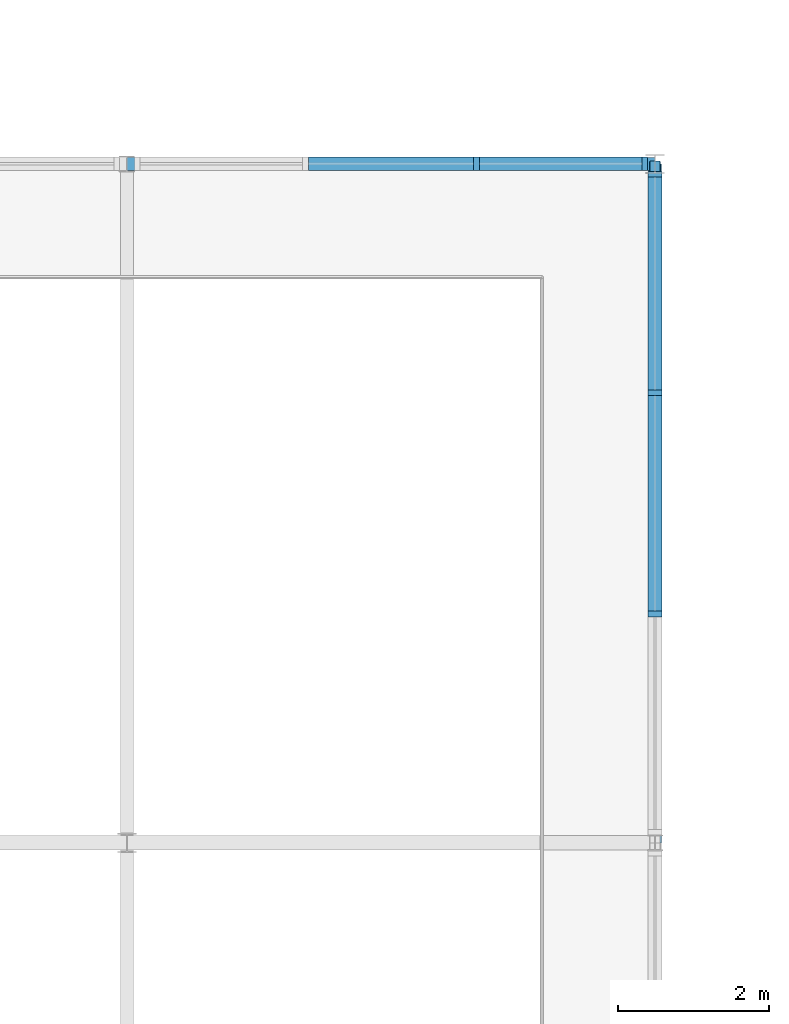
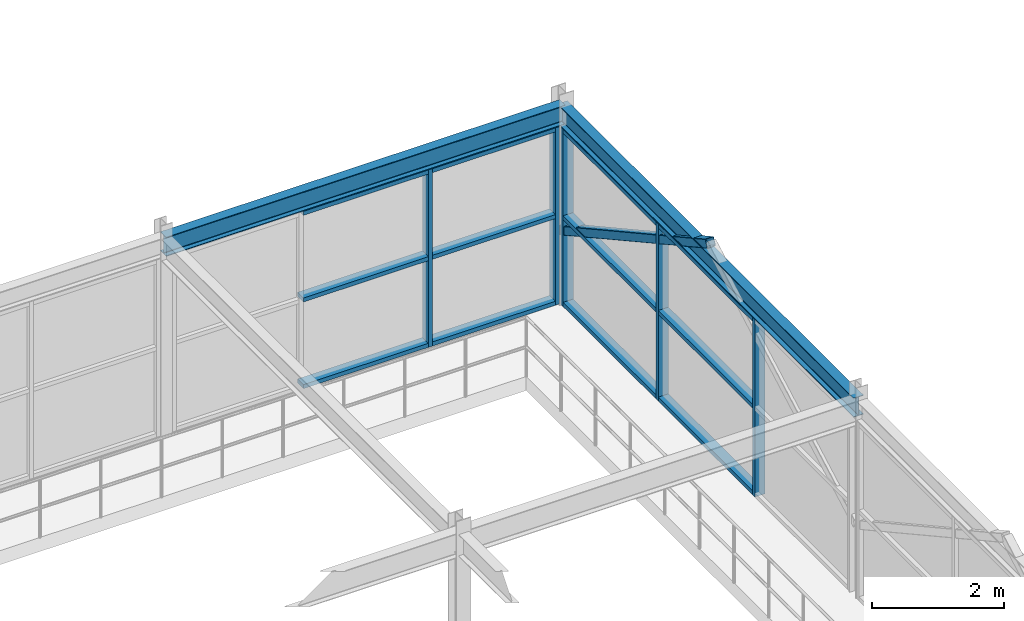
# One storey, part 52 of 98: 18 members, 2 beams, 2 elements without a shape of their own.
"""IFC4 building model written with IfcOpenShell, lengths in metres."""

from ifc_helpers import new_model, si_unit, derived_unit, direction, frame, origin, origin_2d_with_axis, place, context, subcontext, project, spatial, rectangle, hollow_rectangle, i_section, extrude, material, material_profile, profile_set, type_object, element, aggregate, save


model = new_model("IFC4")

# Units and contexts
model_context = context("Model", 3, precision=1e-05, world=origin(), true_north=direction((0.0, 1.0)))
body_context = subcontext(model_context, "Body", "Model", "MODEL_VIEW")
ifc_project = project(units=[si_unit("LENGTHUNIT", "METRE"), si_unit("AREAUNIT", "SQUARE_METRE"), si_unit("VOLUMEUNIT", "CUBIC_METRE"), si_unit("PLANEANGLEUNIT", "RADIAN"), si_unit("MASSUNIT", "GRAM", prefix="KILO"), derived_unit("THERMALTRANSMITTANCEUNIT", [(si_unit("POWERUNIT", "WATT"), 1), (si_unit("LENGTHUNIT", "METRE"), -2), (si_unit("THERMODYNAMICTEMPERATUREUNIT", "KELVIN"), -1)])], contexts=[model_context])

# Site, building, storey
site_placement = place(None, origin())
site = spatial("IfcSite", under=ifc_project, at=site_placement, CompositionType="ELEMENT")
building_placement = place(site_placement, origin())
building = spatial("IfcBuilding", under=site, at=building_placement, Name="Cinnabar Yard Market Hall", CompositionType="ELEMENT")
storey_placement = place(building_placement, frame((0.0, 0.0, 4.5)))
storey = spatial("IfcBuildingStorey", under=building, at=storey_placement, Name="L01", CompositionType="ELEMENT", Elevation=4.5)

# Beams
ifc_material_1 = material(Name="Steel Grade 300 (300 MPa)", Category="steel")
ifc_material_profile_1 = material_profile(ifc_material_1, i_section(OverallWidth=0.172119140625, OverallDepth=0.358642578125, WebThickness=0.008056640625, FlangeThickness=0.012939453125, FilletRadius=0.011474609375, at=origin_2d_with_axis()), Name="360UB56.7")
ifc_profile_set_1 = profile_set([ifc_material_profile_1], Name="Steel Grade 300 (300 MPa)")
beam_type = type_object("IfcBeamType", Name="BM-SP02E", PredefinedType="SPANDREL", material=ifc_profile_set_1)
beam_1_placement = place(storey_placement, frame((45.0, 84.0, 3.470703125), z_axis=(1.0, 0.0, 0.0), x_axis=(0.0, 1.0, 0.0)))
element("IfcBeam", 1, at=beam_1_placement, inside=storey, type_object=beam_type, Name="V2 L01 Girder X 00736", PredefinedType="SPANDREL", context=body_context, shape_type="SweptSolid", body=[
    extrude(i_section(OverallWidth=0.172119140625, OverallDepth=0.358642578125, WebThickness=0.008056640625, FlangeThickness=0.012939453125, FilletRadius=0.011474609375, at=origin_2d_with_axis()), origin(), (0.0, 0.0, 1.0), 7.0),
])
beam_2_placement = place(storey_placement, frame((52.0, 75.0, 3.470703125), z_axis=(0.0, 1.0, 0.0), x_axis=(-1.0, 0.0, 0.0)))
element("IfcBeam", 2, at=beam_2_placement, inside=storey, type_object=beam_type, Name="V2 L01 Girder Y 00764", PredefinedType="SPANDREL", context=body_context, shape_type="SweptSolid", body=[
    extrude(i_section(OverallWidth=0.172119140625, OverallDepth=0.358642578125, WebThickness=0.008056640625, FlangeThickness=0.012939453125, FilletRadius=0.011474609375, at=origin_2d_with_axis()), origin(), (0.0, 0.0, 1.0), 9.0),
])

# Curtain wall, members
ifc_material_2 = material(Name="Anodised bronze aluminium courtyard facade", Category="aluminium")
curtain_wall_type_1 = type_object("IfcCurtainWallType", Name="CW-CWF068x33", PredefinedType="NOTDEFINED", material=ifc_material_2)
curtain_wall_1_placement = place(storey_placement, origin())
curtain_wall_1 = element("IfcCurtainWall", 3, at=curtain_wall_1_placement, inside=storey, type_object=curtain_wall_type_1, Name="Pavilion North Glazed Arcade L01 Bay 6", PredefinedType="NOTDEFINED")
ifc_material_3 = material(Name="Anodised bronze aluminium", Category="aluminium")
ifc_material_profile_2 = material_profile(ifc_material_3, rectangle(XDim=0.179931640625, YDim=0.074951171875, at=origin_2d_with_axis()), Name="MUL-CWF")
ifc_profile_set_2 = profile_set([ifc_material_profile_2], Name="Anodised bronze aluminium")
member_type_1 = type_object("IfcMemberType", Name="CWM-CWF", PredefinedType="MULLION", material=ifc_profile_set_2)
member_1_placement = place(storey_placement, frame((51.862548828125, 84.0, 0.0), z_axis=(0.0, 0.0, 1.0), x_axis=(0.0, -1.0, 0.0)))
member_1 = element("IfcMember", 4, at=member_1_placement, type_object=member_type_1, Name="CWF068x33 mullion 1", PredefinedType="MULLION", context=body_context, shape_type="SweptSolid", body=[
    extrude(rectangle(XDim=0.179931640625, YDim=0.074951171875, at=origin_2d_with_axis()), origin(), (0.0, 0.0, 1.0), 3.2900390625),
])
member_2_placement = place(storey_placement, frame((49.63330078125, 84.0, 0.0), z_axis=(0.0, 0.0, 1.0), x_axis=(0.0, -1.0, 0.0)))
member_2 = element("IfcMember", 5, at=member_2_placement, type_object=member_type_1, Name="CWF068x33 mullion 2", PredefinedType="MULLION", context=body_context, shape_type="SweptSolid", body=[
    extrude(rectangle(XDim=0.179931640625, YDim=0.074951171875, at=origin_2d_with_axis()), origin(), (0.0, 0.0, 1.0), 3.2900390625),
])

curtain_wall_type_2 = type_object("IfcCurtainWallType", Name="CW-CWF088x33", PredefinedType="NOTDEFINED", material=ifc_material_2)
curtain_wall_2_placement = place(storey_placement, origin())
curtain_wall_2 = element("IfcCurtainWall", 6, at=curtain_wall_2_placement, inside=storey, type_object=curtain_wall_type_2, Name="Pavilion Courtyard Glazing L01 Bay 4", PredefinedType="NOTDEFINED")
member_3_placement = place(storey_placement, frame((52.0, 78.033447265625, 0.0), z_axis=(0.0, 0.0, 1.0), x_axis=(-1.0, 0.0, 0.0)))
member_3 = element("IfcMember", 7, at=member_3_placement, type_object=member_type_1, Name="CWF088x33 mullion 2", PredefinedType="MULLION", context=body_context, shape_type="SweptSolid", body=[
    extrude(rectangle(XDim=0.179931640625, YDim=0.074951171875, at=origin_2d_with_axis()), origin(), (0.0, 0.0, 1.0), 3.2900390625),
])
member_4_placement = place(storey_placement, frame((52.0, 80.966552734375, 0.0), z_axis=(0.0, 0.0, 1.0), x_axis=(-1.0, 0.0, 0.0)))
member_4 = element("IfcMember", 8, at=member_4_placement, type_object=member_type_1, Name="CWF088x33 mullion 3", PredefinedType="MULLION", context=body_context, shape_type="SweptSolid", body=[
    extrude(rectangle(XDim=0.179931640625, YDim=0.074951171875, at=origin_2d_with_axis()), origin(), (0.0, 0.0, 1.0), 3.2900390625),
])
member_5_placement = place(storey_placement, frame((52.0, 83.862548828125, 0.0), z_axis=(0.0, 0.0, 1.0), x_axis=(-1.0, 0.0, 0.0)))
member_5 = element("IfcMember", 9, at=member_5_placement, type_object=member_type_1, Name="CWF088x33 mullion 4", PredefinedType="MULLION", context=body_context, shape_type="SweptSolid", body=[
    extrude(rectangle(XDim=0.179931640625, YDim=0.074951171875, at=origin_2d_with_axis()), origin(), (0.0, 0.0, 1.0), 3.2900390625),
])

# Member
ifc_material_profile_3 = material_profile(ifc_material_3, rectangle(XDim=0.179931640625, YDim=0.074951171875, at=origin_2d_with_axis()), Name="TRN-CWF")
ifc_profile_set_3 = profile_set([ifc_material_profile_3], Name="Anodised bronze aluminium")
member_type_2 = type_object("IfcMemberType", Name="CWT-CWF", PredefinedType="USERDEFINED", material=ifc_profile_set_3)
member_6_placement = place(storey_placement, frame((51.824951171875, 84.0, 0.03759765625), z_axis=(-1.0, 0.0, 0.0), x_axis=(0.0, -1.0, 0.0)))
member_6 = element("IfcMember", 10, at=member_6_placement, type_object=member_type_2, Name="CWF068x33 transom 1.1", ObjectType="TRANSOM", PredefinedType="USERDEFINED", context=body_context, shape_type="SweptSolid", body=[
    extrude(rectangle(XDim=0.179931640625, YDim=0.074951171875, at=origin_2d_with_axis()), origin(), (0.0, 0.0, 1.0), 2.154052734375),
])

member_7_placement = place(storey_placement, frame((51.824951171875, 84.0, 1.64501953125), z_axis=(-1.0, 0.0, 0.0), x_axis=(0.0, -1.0, 0.0)))
member_7 = element("IfcMember", 11, at=member_7_placement, type_object=member_type_2, Name="CWF068x33 transom 1.2", ObjectType="TRANSOM", PredefinedType="USERDEFINED", context=body_context, shape_type="SweptSolid", body=[
    extrude(rectangle(XDim=0.179931640625, YDim=0.074951171875, at=origin_2d_with_axis()), origin(), (0.0, 0.0, 1.0), 2.154052734375),
])

member_8_placement = place(storey_placement, frame((51.824951171875, 84.0, 3.25244140625), z_axis=(-1.0, 0.0, 0.0), x_axis=(0.0, -1.0, 0.0)))
member_8 = element("IfcMember", 12, at=member_8_placement, type_object=member_type_2, Name="CWF068x33 transom 1.3", ObjectType="TRANSOM", PredefinedType="USERDEFINED", context=body_context, shape_type="SweptSolid", body=[
    extrude(rectangle(XDim=0.179931640625, YDim=0.074951171875, at=origin_2d_with_axis()), origin(), (0.0, 0.0, 1.0), 2.154052734375),
])

member_9_placement = place(storey_placement, frame((49.595947265625, 84.0, 0.03759765625), z_axis=(-1.0, 0.0, 0.0), x_axis=(0.0, -1.0, 0.0)))
member_9 = element("IfcMember", 13, at=member_9_placement, type_object=member_type_2, Name="CWF068x33 transom 2.1", ObjectType="TRANSOM", PredefinedType="USERDEFINED", context=body_context, shape_type="SweptSolid", body=[
    extrude(rectangle(XDim=0.179931640625, YDim=0.074951171875, at=origin_2d_with_axis()), origin(), (0.0, 0.0, 1.0), 2.19189453125),
])

member_10_placement = place(storey_placement, frame((49.595947265625, 84.0, 1.64501953125), z_axis=(-1.0, 0.0, 0.0), x_axis=(0.0, -1.0, 0.0)))
member_10 = element("IfcMember", 14, at=member_10_placement, type_object=member_type_2, Name="CWF068x33 transom 2.2", ObjectType="TRANSOM", PredefinedType="USERDEFINED", context=body_context, shape_type="SweptSolid", body=[
    extrude(rectangle(XDim=0.179931640625, YDim=0.074951171875, at=origin_2d_with_axis()), origin(), (0.0, 0.0, 1.0), 2.19189453125),
])

member_11_placement = place(storey_placement, frame((49.595947265625, 84.0, 3.25244140625), z_axis=(-1.0, 0.0, 0.0), x_axis=(0.0, -1.0, 0.0)))
member_11 = element("IfcMember", 15, at=member_11_placement, type_object=member_type_2, Name="CWF068x33 transom 2.3", ObjectType="TRANSOM", PredefinedType="USERDEFINED", context=body_context, shape_type="SweptSolid", body=[
    extrude(rectangle(XDim=0.179931640625, YDim=0.074951171875, at=origin_2d_with_axis()), origin(), (0.0, 0.0, 1.0), 2.19189453125),
])

aggregate(curtain_wall_1, [member_1, member_2, member_6, member_7, member_8, member_9, member_10, member_11])

member_12_placement = place(storey_placement, frame((52.0, 78.07080078125, 0.03759765625), z_axis=(0.0, 1.0, 0.0), x_axis=(-1.0, 0.0, 0.0)))
member_12 = element("IfcMember", 16, at=member_12_placement, type_object=member_type_2, Name="CWF088x33 transom 2.1", ObjectType="TRANSOM", PredefinedType="USERDEFINED", context=body_context, shape_type="SweptSolid", body=[
    extrude(rectangle(XDim=0.179931640625, YDim=0.074951171875, at=origin_2d_with_axis()), origin(), (0.0, 0.0, 1.0), 2.8583984375),
])

member_13_placement = place(storey_placement, frame((52.0, 78.07080078125, 1.64501953125), z_axis=(0.0, 1.0, 0.0), x_axis=(-1.0, 0.0, 0.0)))
member_13 = element("IfcMember", 17, at=member_13_placement, type_object=member_type_2, Name="CWF088x33 transom 2.2", ObjectType="TRANSOM", PredefinedType="USERDEFINED", context=body_context, shape_type="SweptSolid", body=[
    extrude(rectangle(XDim=0.179931640625, YDim=0.074951171875, at=origin_2d_with_axis()), origin(), (0.0, 0.0, 1.0), 2.8583984375),
])

member_14_placement = place(storey_placement, frame((52.0, 78.07080078125, 3.25244140625), z_axis=(0.0, 1.0, 0.0), x_axis=(-1.0, 0.0, 0.0)))
member_14 = element("IfcMember", 18, at=member_14_placement, type_object=member_type_2, Name="CWF088x33 transom 2.3", ObjectType="TRANSOM", PredefinedType="USERDEFINED", context=body_context, shape_type="SweptSolid", body=[
    extrude(rectangle(XDim=0.179931640625, YDim=0.074951171875, at=origin_2d_with_axis()), origin(), (0.0, 0.0, 1.0), 2.8583984375),
])

member_15_placement = place(storey_placement, frame((52.0, 81.004150390625, 0.03759765625), z_axis=(0.0, 1.0, 0.0), x_axis=(-1.0, 0.0, 0.0)))
member_15 = element("IfcMember", 19, at=member_15_placement, type_object=member_type_2, Name="CWF088x33 transom 3.1", ObjectType="TRANSOM", PredefinedType="USERDEFINED", context=body_context, shape_type="SweptSolid", body=[
    extrude(rectangle(XDim=0.179931640625, YDim=0.074951171875, at=origin_2d_with_axis()), origin(), (0.0, 0.0, 1.0), 2.82080078125),
])

member_16_placement = place(storey_placement, frame((52.0, 81.004150390625, 1.64501953125), z_axis=(0.0, 1.0, 0.0), x_axis=(-1.0, 0.0, 0.0)))
member_16 = element("IfcMember", 20, at=member_16_placement, type_object=member_type_2, Name="CWF088x33 transom 3.2", ObjectType="TRANSOM", PredefinedType="USERDEFINED", context=body_context, shape_type="SweptSolid", body=[
    extrude(rectangle(XDim=0.179931640625, YDim=0.074951171875, at=origin_2d_with_axis()), origin(), (0.0, 0.0, 1.0), 2.82080078125),
])

member_17_placement = place(storey_placement, frame((52.0, 81.004150390625, 3.25244140625), z_axis=(0.0, 1.0, 0.0), x_axis=(-1.0, 0.0, 0.0)))
member_17 = element("IfcMember", 21, at=member_17_placement, type_object=member_type_2, Name="CWF088x33 transom 3.3", ObjectType="TRANSOM", PredefinedType="USERDEFINED", context=body_context, shape_type="SweptSolid", body=[
    extrude(rectangle(XDim=0.179931640625, YDim=0.074951171875, at=origin_2d_with_axis()), origin(), (0.0, 0.0, 1.0), 2.82080078125),
])

aggregate(curtain_wall_2, [member_3, member_4, member_5, member_12, member_13, member_14, member_15, member_16, member_17])

ifc_material_4 = material(Name="Spotted-gum glulam-clad steel Grade 350 (350 MPa)", Category="steel")
ifc_material_profile_4 = material_profile(ifc_material_4, hollow_rectangle(XDim=0.14990234375, YDim=0.14990234375, WallThickness=0.006103515625, InnerFilletRadius=0.006103515625, OuterFilletRadius=0.011962890625, at=origin_2d_with_axis()), Name="150x150x6.0SHS")
ifc_profile_set_4 = profile_set([ifc_material_profile_4], Name="Spotted-gum glulam-clad steel Grade 350 (350 MPa)")
member_type_3 = type_object("IfcMemberType", Name="MB-AR02E", PredefinedType="USERDEFINED", material=ifc_profile_set_4)
member_18_placement = place(storey_placement, frame((52.0, 84.0, 1.300048828125), z_axis=(0.0, -0.875806284183, 0.482662773151), x_axis=(1.0, 0.0, 0.0)))
element("IfcMember", 22, at=member_18_placement, inside=storey, type_object=member_type_3, Name="Pavilion Arcade Arch 4B", ObjectType="ARCH RIB", PredefinedType="USERDEFINED", context=body_context, shape_type="SweptSolid", body=[
    extrude(hollow_rectangle(XDim=0.14990234375, YDim=0.14990234375, WallThickness=0.006103515625, InnerFilletRadius=0.006103515625, OuterFilletRadius=0.011962890625, at=origin_2d_with_axis()), origin(), (0.0, 0.0, 1.0), 5.13818359375),
])

save(model, "model.ifc")
